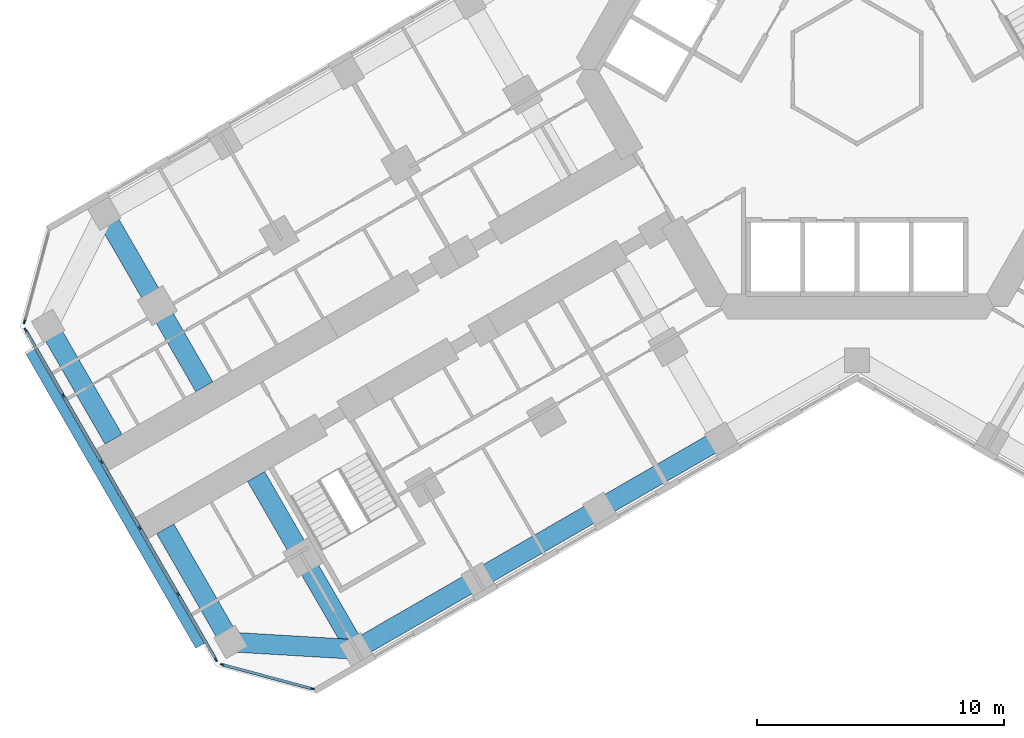
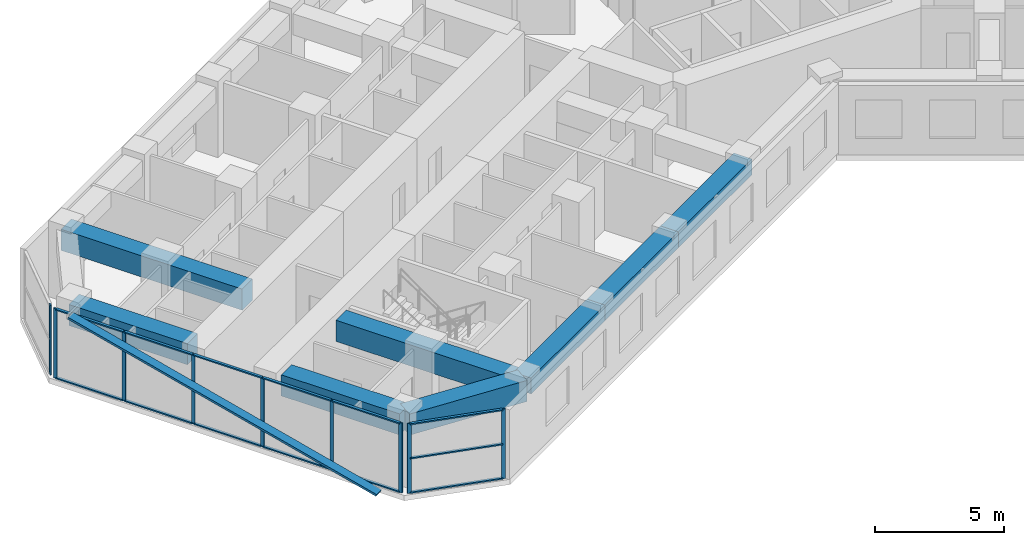
# One storey, part 2 of 21: 23 members, 8 beams, 3 elements without a shape of their own.
"""IFC4 building model written with IfcOpenShell, lengths in metres."""

from ifc_helpers import new_model, si_unit, direction, frame, origin, origin_2d, place, context, subcontext, project, spatial, rectangle, extrude, material, material_profile, profile_set, type_object, element, aggregate, save


model = new_model("IFC4")

# Units and contexts
model_context = context("Model", 3, precision=1e-05, world=origin(), true_north=direction((0.0, 1.0)))
body_context = subcontext(model_context, "Body", "Model", "MODEL_VIEW")
ifc_project = project(units=[si_unit("LENGTHUNIT", "METRE"), si_unit("AREAUNIT", "SQUARE_METRE"), si_unit("VOLUMEUNIT", "CUBIC_METRE"), si_unit("PLANEANGLEUNIT", "RADIAN"), si_unit("MASSUNIT", "GRAM", prefix="KILO")], contexts=[model_context])

# Site, building, storey
site_placement = place(None, origin())
site = spatial("IfcSite", under=ifc_project, at=site_placement, CompositionType="ELEMENT")
building_placement = place(site_placement, origin())
building = spatial("IfcBuilding", under=site, at=building_placement, Name="Kosmar Iwan School Tower", CompositionType="ELEMENT")
storey_placement = place(building_placement, frame((0.0, 0.0, 109.60009765625)))
storey = spatial("IfcBuildingStorey", under=building, at=storey_placement, Name="L27", CompositionType="ELEMENT", Elevation=109.60009765625)

# Beams
ifc_material_1 = material(Name="Concrete C50/60", Category="concrete")
ifc_material_profile_1 = material_profile(ifc_material_1, rectangle(XDim=0.800048828125, YDim=0.75, at=origin_2d()), Name="RC 800x750 + HD 400x634")
ifc_profile_set_1 = profile_set([ifc_material_profile_1], Name="Concrete C50/60")
beam_type_1 = type_object("IfcBeamType", Name="Composite edge beam 800x750 HD 400x634", PredefinedType="BEAM", material=ifc_profile_set_1)
beam_1_placement = place(storey_placement, frame((-5.5087890625, -14.95849609375, 2.9248046875), z_axis=(-0.866033658841, -0.49998570155, 0.0), x_axis=(0.49998570155, -0.866033658841, 0.0)))
element("IfcBeam", 1, at=beam_1_placement, inside=storey, type_object=beam_type_1, Name="Edge beam BL2", PredefinedType="BEAM", context=body_context, shape_type="SweptSolid", body=[
    extrude(rectangle(XDim=0.800048828125, YDim=0.75, at=origin_2d()), origin(), (0.0, 0.0, 1.0), 5.699951171875),
])
beam_2_placement = place(storey_placement, frame((-10.445068359375, -17.808349609375, 2.9248046875), z_axis=(-0.866025820012, -0.499999279071, 0.0), x_axis=(0.499999279071, -0.866025820012, 0.0)))
element("IfcBeam", 2, at=beam_2_placement, inside=storey, type_object=beam_type_1, Name="Edge beam BL3", PredefinedType="BEAM", context=body_context, shape_type="SweptSolid", body=[
    extrude(rectangle(XDim=0.800048828125, YDim=0.75, at=origin_2d()), origin(), (0.0, 0.0, 1.0), 5.7001953125),
])
beam_3_placement = place(storey_placement, frame((-15.381591796875, -20.658447265625, 2.9248046875), z_axis=(-0.866015111908, -0.50001782563, 0.0), x_axis=(0.50001782563, -0.866015111908, 0.0)))
element("IfcBeam", 3, at=beam_3_placement, inside=storey, type_object=beam_type_1, Name="Edge beam BL4", PredefinedType="BEAM", context=body_context, shape_type="SweptSolid", body=[
    extrude(rectangle(XDim=0.800048828125, YDim=0.75, at=origin_2d()), origin(), (0.0, 0.0, 1.0), 5.699951171875),
])
ifc_material_2 = material(Name="Concrete C50/60", Category="concrete")
ifc_material_profile_2 = material_profile(ifc_material_2, rectangle(XDim=0.800048828125, YDim=1.0, at=origin_2d()), Name="RC 800x1000 + HD 400x347")
ifc_profile_set_2 = profile_set([ifc_material_profile_2], Name="Concrete C50/60")
beam_type_2 = type_object("IfcBeamType", Name="Composite tip beam 800x1000 HD 400x347", PredefinedType="BEAM", material=ifc_profile_set_2)
beam_4_placement = place(storey_placement, frame((-20.31787109375, -23.508544921875, 2.7998046875), z_axis=(-0.998260616478, 0.058955420358, 0.0), x_axis=(-0.058955420358, -0.998260616478, 0.0)))
element("IfcBeam", 4, at=beam_4_placement, inside=storey, type_object=beam_type_2, Name="Tip beam BL", PredefinedType="BEAM", context=body_context, shape_type="SweptSolid", body=[
    extrude(rectangle(XDim=0.800048828125, YDim=1.0, at=origin_2d()), origin(), (0.0, 0.0, 1.0), 5.08935546875),
])
beam_5_placement = place(storey_placement, frame((-25.3984375, -23.20849609375, 2.7998046875), z_axis=(-0.499993606316, 0.866029095148, 0.0), x_axis=(-0.866029095148, -0.499993606316, 0.0)))
element("IfcBeam", 5, at=beam_5_placement, inside=storey, type_object=beam_type_2, Name="Tip beam BL to corridor wall", PredefinedType="BEAM", context=body_context, shape_type="SweptSolid", body=[
    extrude(rectangle(XDim=0.800048828125, YDim=1.0, at=origin_2d()), origin(), (0.0, 0.0, 1.0), 5.2998046875),
])
beam_6_placement = place(storey_placement, frame((-32.79833984375, -10.391357421875, 2.7998046875), z_axis=(0.499973660256, -0.866040610509, 0.0), x_axis=(0.866040610509, 0.499973660256, 0.0)))
element("IfcBeam", 6, at=beam_6_placement, inside=storey, type_object=beam_type_2, Name="Tip beam BR to corridor wall", PredefinedType="BEAM", context=body_context, shape_type="SweptSolid", body=[
    extrude(rectangle(XDim=0.800048828125, YDim=1.0, at=origin_2d()), origin(), (0.0, 0.0, 1.0), 5.300048828125),
])
ifc_material_3 = material(Name="Concrete C50/60", Category="concrete")
ifc_material_profile_3 = material_profile(ifc_material_3, rectangle(XDim=0.800048828125, YDim=1.0, at=origin_2d()), Name="RC 800x1000 + HD 400x634")
ifc_profile_set_3 = profile_set([ifc_material_profile_3], Name="Concrete C50/60")
beam_type_3 = type_object("IfcBeamType", Name="Composite transverse beam 800x1000 HD 400x634", PredefinedType="BEAM", material=ifc_profile_set_3)
for number, where, z_axis, x_axis, name in (
    (7, (-20.31787109375, -23.508544921875, 2.7998046875), (-0.499999880539, 0.866025472755, 0.0), (-0.866025472755, -0.499999880539, 0.0), "Transverse beam BL4"),
    (8, (-30.517822265625, -5.841552734375, 2.7998046875), (0.499999880539, -0.866025472755, 0.0), (0.866025472755, 0.499999880539, 0.0), "Transverse beam BR4"),
):
    element("IfcBeam", number, at=place(storey_placement, frame(where, z_axis=z_axis, x_axis=x_axis)), inside=storey, type_object=beam_type_3, Name=name, PredefinedType="BEAM", context=body_context, shape_type="SweptSolid", body=[
        extrude(rectangle(XDim=0.800048828125, YDim=1.0, at=origin_2d()), origin(), (0.0, 0.0, 1.0), 8.10009765625),
    ])

# Member
ifc_material_4 = material(Name="Black anodised aluminium", Category="aluminium")
ifc_material_profile_4 = material_profile(ifc_material_4, rectangle(XDim=0.10009765625, YDim=0.39990234375, at=origin_2d()), Name="FIN 100x400")
ifc_profile_set_4 = profile_set([ifc_material_profile_4], Name="Black anodised aluminium")
member_type_1 = type_object("IfcMemberType", Name="Diagonal fin 100x400", PredefinedType="USERDEFINED", material=ifc_profile_set_4)
member_1_placement = place(storey_placement, frame((-26.645263671875, -23.34912109375, -0.150146484375), z_axis=(-0.484219792667, 0.838708782627, 0.249196248635), x_axis=(0.124596397335, -0.21581127891, 0.968453008497)))
element("IfcMember", 9, at=member_1_placement, inside=storey, type_object=member_type_1, Name="Diagonal fin L27-F13", ObjectType="FIN", PredefinedType="USERDEFINED", context=body_context, shape_type="SweptSolid", body=[
    extrude(rectangle(XDim=0.10009765625, YDim=0.39990234375, at=origin_2d()), origin(), (0.0, 0.0, 1.0), 14.24609375),
])

# Curtain wall, member
ifc_material_5 = material(Name="Dark glass in black aluminium frame", Category="aluminium")
curtain_wall_type_1 = type_object("IfcCurtainWallType", Name="Chamfer curtain wall dark glass", PredefinedType="USERDEFINED", material=ifc_material_5)
curtain_wall_1_placement = place(storey_placement, origin())
curtain_wall_1 = element("IfcCurtainWall", 10, at=curtain_wall_1_placement, inside=storey, type_object=curtain_wall_type_1, Name="Curtain wall L27-F12", ObjectType="FACETED CURTAIN WALL", PredefinedType="USERDEFINED")
ifc_material_6 = material(Name="Black anodised aluminium", Category="aluminium")
ifc_material_profile_5 = material_profile(ifc_material_6, rectangle(XDim=0.06005859375, YDim=0.159912109375, at=origin_2d()), Name="MULLION 60x160")
ifc_profile_set_5 = profile_set([ifc_material_profile_5], Name="Black anodised aluminium")
member_type_2 = type_object("IfcMemberType", Name="Mullion 60x160", PredefinedType="MULLION", material=ifc_profile_set_5)
member_2_placement = place(storey_placement, frame((-33.7587890625, -10.2236328125, 0.0), z_axis=(0.0, 0.0, 1.0), x_axis=(0.965925875495, -0.258818861462, 0.0)))
member_2 = element("IfcMember", 11, at=member_2_placement, type_object=member_type_2, Name="CW2 mullion 2", PredefinedType="MULLION", context=body_context, shape_type="SweptSolid", body=[
    extrude(rectangle(XDim=0.06005859375, YDim=0.159912109375, at=origin_2d()), origin(), (0.0, 0.0, 1.0), 3.2998046875),
])
aggregate(curtain_wall_1, [member_2])

# Curtain wall, members
ifc_material_7 = material(Name="Dark glass in black aluminium frame", Category="aluminium")
curtain_wall_type_2 = type_object("IfcCurtainWallType", Name="Tower curtain wall dark glass", PredefinedType="USERDEFINED", material=ifc_material_7)
curtain_wall_2_placement = place(storey_placement, origin())
curtain_wall_2 = element("IfcCurtainWall", 12, at=curtain_wall_2_placement, inside=storey, type_object=curtain_wall_type_2, Name="Curtain wall L27-F13", ObjectType="UNITISED CURTAIN WALL", PredefinedType="USERDEFINED")
member_3_placement = place(storey_placement, frame((-33.71533203125, -10.55322265625, 0.0), z_axis=(0.0, 0.0, 1.0), x_axis=(0.866025405329, 0.499999997325, 0.0)))
member_3 = element("IfcMember", 13, at=member_3_placement, type_object=member_type_2, Name="CW1 mullion 1", PredefinedType="MULLION", context=body_context, shape_type="SweptSolid", body=[
    extrude(rectangle(XDim=0.06005859375, YDim=0.159912109375, at=origin_2d()), origin(), (0.0, 0.0, 1.0), 3.2998046875),
])
member_4_placement = place(storey_placement, frame((-32.1806640625, -13.21142578125, 0.0), z_axis=(0.0, 0.0, 1.0), x_axis=(0.866025405329, 0.499999997325, 0.0)))
member_4 = element("IfcMember", 14, at=member_4_placement, type_object=member_type_2, Name="CW1 mullion 2", PredefinedType="MULLION", context=body_context, shape_type="SweptSolid", body=[
    extrude(rectangle(XDim=0.06005859375, YDim=0.159912109375, at=origin_2d()), origin(), (0.0, 0.0, 1.0), 3.2998046875),
])
member_5_placement = place(storey_placement, frame((-30.631103515625, -15.8955078125, 0.0), z_axis=(0.0, 0.0, 1.0), x_axis=(0.866025405329, 0.499999997325, 0.0)))
member_5 = element("IfcMember", 15, at=member_5_placement, type_object=member_type_2, Name="CW1 mullion 3", PredefinedType="MULLION", context=body_context, shape_type="SweptSolid", body=[
    extrude(rectangle(XDim=0.06005859375, YDim=0.159912109375, at=origin_2d()), origin(), (0.0, 0.0, 1.0), 3.2998046875),
])
member_6_placement = place(storey_placement, frame((-29.081298828125, -18.57958984375, 0.0), z_axis=(0.0, 0.0, 1.0), x_axis=(0.866025405329, 0.499999997325, 0.0)))
member_6 = element("IfcMember", 16, at=member_6_placement, type_object=member_type_2, Name="CW1 mullion 4", PredefinedType="MULLION", context=body_context, shape_type="SweptSolid", body=[
    extrude(rectangle(XDim=0.06005859375, YDim=0.159912109375, at=origin_2d()), origin(), (0.0, 0.0, 1.0), 3.2998046875),
])
member_7_placement = place(storey_placement, frame((-27.53173828125, -21.263671875, 0.0), z_axis=(0.0, 0.0, 1.0), x_axis=(0.866025405329, 0.499999997325, 0.0)))
member_7 = element("IfcMember", 17, at=member_7_placement, type_object=member_type_2, Name="CW1 mullion 5", PredefinedType="MULLION", context=body_context, shape_type="SweptSolid", body=[
    extrude(rectangle(XDim=0.06005859375, YDim=0.159912109375, at=origin_2d()), origin(), (0.0, 0.0, 1.0), 3.2998046875),
])
member_8_placement = place(storey_placement, frame((-25.9970703125, -23.921630859375, 0.0), z_axis=(0.0, 0.0, 1.0), x_axis=(0.866025405329, 0.499999997325, 0.0)))
member_8 = element("IfcMember", 18, at=member_8_placement, type_object=member_type_2, Name="CW1 mullion 6", PredefinedType="MULLION", context=body_context, shape_type="SweptSolid", body=[
    extrude(rectangle(XDim=0.06005859375, YDim=0.159912109375, at=origin_2d()), origin(), (0.0, 0.0, 1.0), 3.2998046875),
])

curtain_wall_3_placement = place(storey_placement, origin())
curtain_wall_3 = element("IfcCurtainWall", 19, at=curtain_wall_3_placement, inside=storey, type_object=curtain_wall_type_1, Name="Curtain wall L27-F14", ObjectType="FACETED CURTAIN WALL", PredefinedType="USERDEFINED")
member_9_placement = place(storey_placement, frame((-25.733154296875, -24.124267578125, 0.0), z_axis=(0.0, 0.0, 1.0), x_axis=(0.258818861462, 0.965925875495, 0.0)))
member_9 = element("IfcMember", 20, at=member_9_placement, type_object=member_type_2, Name="CW2 mullion 1", PredefinedType="MULLION", context=body_context, shape_type="SweptSolid", body=[
    extrude(rectangle(XDim=0.06005859375, YDim=0.159912109375, at=origin_2d()), origin(), (0.0, 0.0, 1.0), 3.2998046875),
])
member_10_placement = place(storey_placement, frame((-22.0830078125, -25.102294921875, 0.0), z_axis=(0.0, 0.0, 1.0), x_axis=(0.258818861462, 0.965925875495, 0.0)))
member_10 = element("IfcMember", 21, at=member_10_placement, type_object=member_type_2, Name="CW2 mullion 2", PredefinedType="MULLION", context=body_context, shape_type="SweptSolid", body=[
    extrude(rectangle(XDim=0.06005859375, YDim=0.159912109375, at=origin_2d()), origin(), (0.0, 0.0, 1.0), 3.2998046875),
])

# Member
ifc_material_8 = material(Name="Black anodised aluminium", Category="aluminium")
ifc_material_profile_6 = material_profile(ifc_material_8, rectangle(XDim=0.1201171875, YDim=0.06005859375, at=origin_2d()), Name="TRANSOM 60x120")
ifc_profile_set_6 = profile_set([ifc_material_profile_6], Name="Black anodised aluminium")
member_type_3 = type_object("IfcMemberType", Name="Transom 60x120", PredefinedType="USERDEFINED", material=ifc_profile_set_6)
member_11_placement = place(storey_placement, frame((-33.700439453125, -10.579345703125, 0.02978515625), z_axis=(0.500022102064, -0.866012642776, 0.0), x_axis=(0.866012642776, 0.500022102064, 0.0)))
member_11 = element("IfcMember", 22, at=member_11_placement, type_object=member_type_3, Name="CW1 transom 1.1", ObjectType="TRANSOM", PredefinedType="USERDEFINED", context=body_context, shape_type="SweptSolid", body=[
    extrude(rectangle(XDim=0.1201171875, YDim=0.06005859375, at=origin_2d()), origin(), (0.0, 0.0, 1.0), 3.009033203125),
])

member_12_placement = place(storey_placement, frame((-33.700439453125, -10.579345703125, 3.27001953125), z_axis=(0.500022102064, -0.866012642776, 0.0), x_axis=(0.866012642776, 0.500022102064, 0.0)))
member_12 = element("IfcMember", 23, at=member_12_placement, type_object=member_type_3, Name="CW1 transom 1.2", ObjectType="TRANSOM", PredefinedType="USERDEFINED", context=body_context, shape_type="SweptSolid", body=[
    extrude(rectangle(XDim=0.1201171875, YDim=0.06005859375, at=origin_2d()), origin(), (0.0, 0.0, 1.0), 3.009033203125),
])

member_13_placement = place(storey_placement, frame((-32.165771484375, -13.2373046875, 0.02978515625), z_axis=(0.500035348339, -0.866004994449, 0.0), x_axis=(0.866004994449, 0.500035348339, 0.0)))
member_13 = element("IfcMember", 24, at=member_13_placement, type_object=member_type_3, Name="CW1 transom 2.1", ObjectType="TRANSOM", PredefinedType="USERDEFINED", context=body_context, shape_type="SweptSolid", body=[
    extrude(rectangle(XDim=0.1201171875, YDim=0.06005859375, at=origin_2d()), origin(), (0.0, 0.0, 1.0), 3.039306640625),
])

member_14_placement = place(storey_placement, frame((-32.165771484375, -13.2373046875, 3.27001953125), z_axis=(0.500035348339, -0.866004994449, 0.0), x_axis=(0.866004994449, 0.500035348339, 0.0)))
member_14 = element("IfcMember", 25, at=member_14_placement, type_object=member_type_3, Name="CW1 transom 2.2", ObjectType="TRANSOM", PredefinedType="USERDEFINED", context=body_context, shape_type="SweptSolid", body=[
    extrude(rectangle(XDim=0.1201171875, YDim=0.06005859375, at=origin_2d()), origin(), (0.0, 0.0, 1.0), 3.039306640625),
])

member_15_placement = place(storey_placement, frame((-30.615966796875, -15.92138671875, 0.02978515625), z_axis=(0.499975102327, -0.866039777986, 0.0), x_axis=(0.866039777986, 0.499975102327, 0.0)))
member_15 = element("IfcMember", 26, at=member_15_placement, type_object=member_type_3, Name="CW1 transom 3.1", ObjectType="TRANSOM", PredefinedType="USERDEFINED", context=body_context, shape_type="SweptSolid", body=[
    extrude(rectangle(XDim=0.1201171875, YDim=0.06005859375, at=origin_2d()), origin(), (0.0, 0.0, 1.0), 3.039306640625),
])

member_16_placement = place(storey_placement, frame((-30.615966796875, -15.92138671875, 3.27001953125), z_axis=(0.499975102327, -0.866039777986, 0.0), x_axis=(0.866039777986, 0.499975102327, 0.0)))
member_16 = element("IfcMember", 27, at=member_16_placement, type_object=member_type_3, Name="CW1 transom 3.2", ObjectType="TRANSOM", PredefinedType="USERDEFINED", context=body_context, shape_type="SweptSolid", body=[
    extrude(rectangle(XDim=0.1201171875, YDim=0.06005859375, at=origin_2d()), origin(), (0.0, 0.0, 1.0), 3.039306640625),
])

member_17_placement = place(storey_placement, frame((-29.06640625, -18.60546875, 0.02978515625), z_axis=(0.499975102327, -0.866039777986, 0.0), x_axis=(0.866039777986, 0.499975102327, 0.0)))
member_17 = element("IfcMember", 28, at=member_17_placement, type_object=member_type_3, Name="CW1 transom 4.1", ObjectType="TRANSOM", PredefinedType="USERDEFINED", context=body_context, shape_type="SweptSolid", body=[
    extrude(rectangle(XDim=0.1201171875, YDim=0.06005859375, at=origin_2d()), origin(), (0.0, 0.0, 1.0), 3.039306640625),
])

member_18_placement = place(storey_placement, frame((-29.06640625, -18.60546875, 3.27001953125), z_axis=(0.499975102327, -0.866039777986, 0.0), x_axis=(0.866039777986, 0.499975102327, 0.0)))
member_18 = element("IfcMember", 29, at=member_18_placement, type_object=member_type_3, Name="CW1 transom 4.2", ObjectType="TRANSOM", PredefinedType="USERDEFINED", context=body_context, shape_type="SweptSolid", body=[
    extrude(rectangle(XDim=0.1201171875, YDim=0.06005859375, at=origin_2d()), origin(), (0.0, 0.0, 1.0), 3.039306640625),
])

member_19_placement = place(storey_placement, frame((-27.516845703125, -21.28955078125, 0.02978515625), z_axis=(0.499986971506, -0.866032925658, 0.0), x_axis=(0.866032925658, 0.499986971506, 0.0)))
member_19 = element("IfcMember", 30, at=member_19_placement, type_object=member_type_3, Name="CW1 transom 5.1", ObjectType="TRANSOM", PredefinedType="USERDEFINED", context=body_context, shape_type="SweptSolid", body=[
    extrude(rectangle(XDim=0.1201171875, YDim=0.06005859375, at=origin_2d()), origin(), (0.0, 0.0, 1.0), 3.00927734375),
])

member_20_placement = place(storey_placement, frame((-27.516845703125, -21.28955078125, 3.27001953125), z_axis=(0.499986971506, -0.866032925658, 0.0), x_axis=(0.866032925658, 0.499986971506, 0.0)))
member_20 = element("IfcMember", 31, at=member_20_placement, type_object=member_type_3, Name="CW1 transom 5.2", ObjectType="TRANSOM", PredefinedType="USERDEFINED", context=body_context, shape_type="SweptSolid", body=[
    extrude(rectangle(XDim=0.1201171875, YDim=0.06005859375, at=origin_2d()), origin(), (0.0, 0.0, 1.0), 3.00927734375),
])

aggregate(curtain_wall_2, [member_3, member_4, member_5, member_6, member_7, member_8, member_11, member_12, member_13, member_14, member_15, member_16, member_17, member_18, member_19, member_20])

member_21_placement = place(storey_placement, frame((-25.704345703125, -24.1318359375, 0.02978515625), z_axis=(0.965923731726, -0.258826861991, 0.0), x_axis=(0.258826861991, 0.965923731726, 0.0)))
member_21 = element("IfcMember", 32, at=member_21_placement, type_object=member_type_3, Name="CW2 transom 1.1", ObjectType="TRANSOM", PredefinedType="USERDEFINED", context=body_context, shape_type="SweptSolid", body=[
    extrude(rectangle(XDim=0.1201171875, YDim=0.06005859375, at=origin_2d()), origin(), (0.0, 0.0, 1.0), 3.71923828125),
])

member_22_placement = place(storey_placement, frame((-25.704345703125, -24.1318359375, 1.64990234375), z_axis=(0.965923731726, -0.258826861991, 0.0), x_axis=(0.258826861991, 0.965923731726, 0.0)))
member_22 = element("IfcMember", 33, at=member_22_placement, type_object=member_type_3, Name="CW2 transom 1.2", ObjectType="TRANSOM", PredefinedType="USERDEFINED", context=body_context, shape_type="SweptSolid", body=[
    extrude(rectangle(XDim=0.1201171875, YDim=0.06005859375, at=origin_2d()), origin(), (0.0, 0.0, 1.0), 3.71923828125),
])

member_23_placement = place(storey_placement, frame((-25.704345703125, -24.1318359375, 3.27001953125), z_axis=(0.965923731726, -0.258826861991, 0.0), x_axis=(0.258826861991, 0.965923731726, 0.0)))
member_23 = element("IfcMember", 34, at=member_23_placement, type_object=member_type_3, Name="CW2 transom 1.3", ObjectType="TRANSOM", PredefinedType="USERDEFINED", context=body_context, shape_type="SweptSolid", body=[
    extrude(rectangle(XDim=0.1201171875, YDim=0.06005859375, at=origin_2d()), origin(), (0.0, 0.0, 1.0), 3.71923828125),
])

aggregate(curtain_wall_3, [member_9, member_10, member_21, member_22, member_23])

save(model, "model.ifc")
